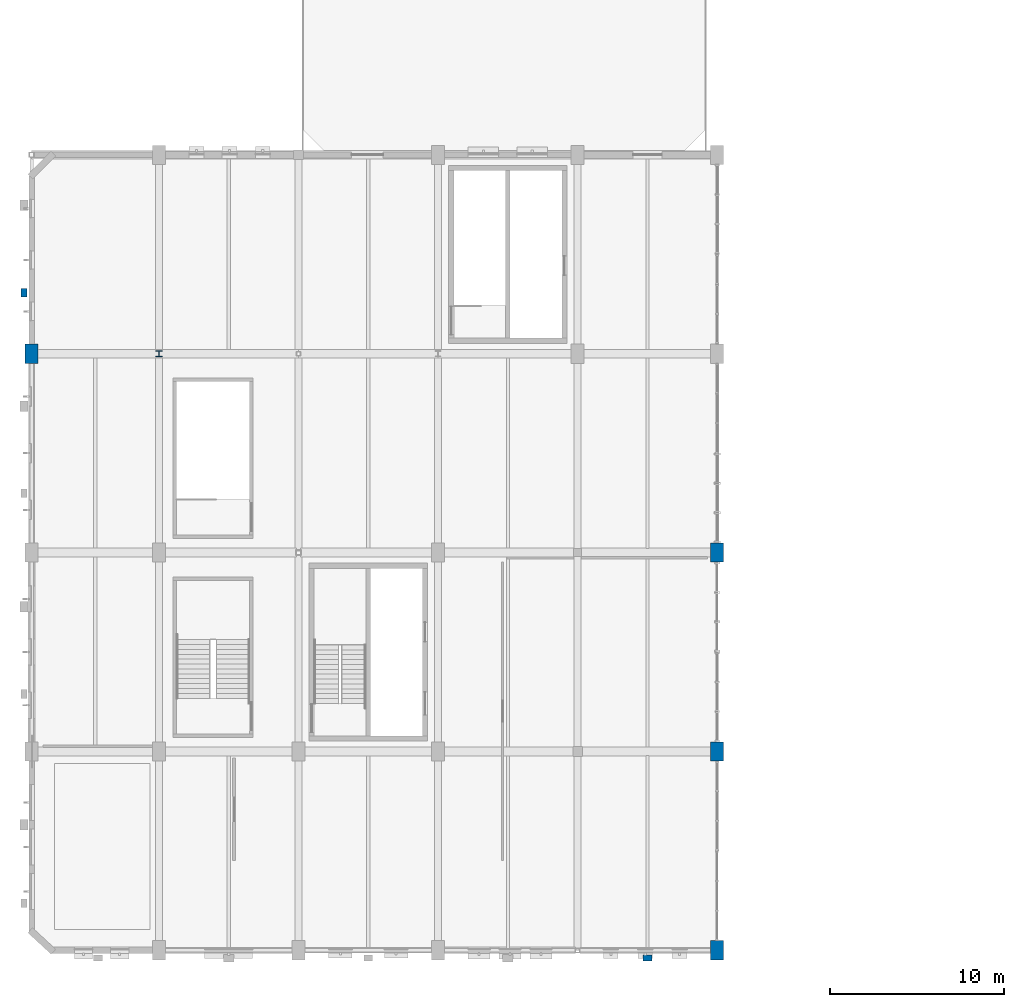
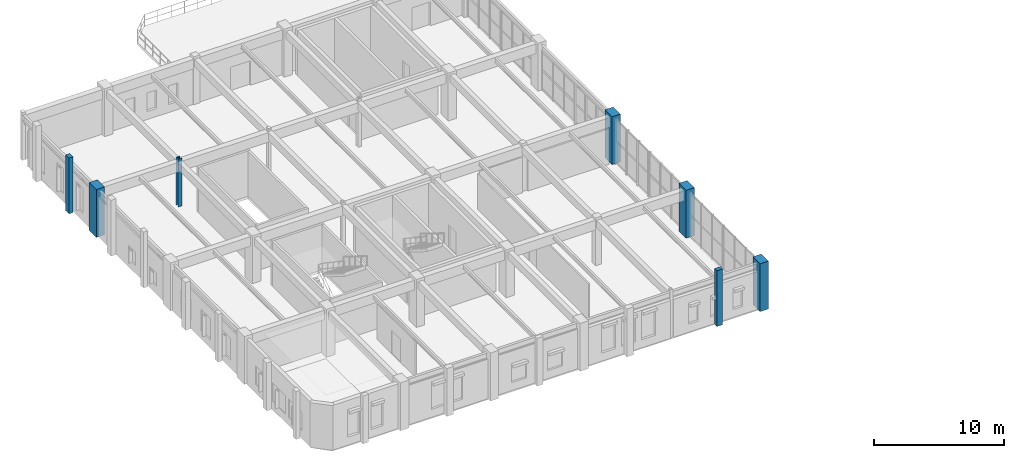
# One storey, part 3 of 48: 7 columns.
"""IFC4 building model written with IfcOpenShell, lengths in metres."""

from ifc_helpers import new_model, si_unit, direction, frame, origin, origin_2d, place, context, subcontext, project, spatial, rectangle, i_section, extrude, material, material_profile, profile_set, type_object, element, save


model = new_model("IFC4")

# Units and contexts
model_context = context("Model", 3, precision=1e-05, world=origin(), true_north=direction((0.0, 1.0)))
body_context = subcontext(model_context, "Body", "Model", "MODEL_VIEW")
ifc_project = project(units=[si_unit("LENGTHUNIT", "METRE"), si_unit("AREAUNIT", "SQUARE_METRE"), si_unit("VOLUMEUNIT", "CUBIC_METRE"), si_unit("PLANEANGLEUNIT", "RADIAN"), si_unit("MASSUNIT", "GRAM", prefix="KILO"), si_unit("POWERUNIT", "WATT"), si_unit("THERMODYNAMICTEMPERATUREUNIT", "KELVIN")], contexts=[model_context])

# Site, building, storey
site_placement = place(None, origin())
site = spatial("IfcSite", under=ifc_project, at=site_placement, CompositionType="ELEMENT")
building_placement = place(site_placement, origin())
building = spatial("IfcBuilding", under=site, at=building_placement, Name="Kelmbourne Parkland Aquatics Centre", CompositionType="ELEMENT")
storey_placement = place(building_placement, frame((0.0, 0.0, 14.699951171875)))
storey = spatial("IfcBuildingStorey", under=building, at=storey_placement, Name="L03", CompositionType="ELEMENT", Elevation=14.699951171875)

# Columns
ifc_material_1 = material(Name="Concrete C40/50", Category="concrete")
ifc_material_profile_1 = material_profile(ifc_material_1, rectangle(XDim=0.75, YDim=1.10009765625, at=origin_2d()), Name="RC 750x1100")
ifc_profile_set_1 = profile_set([ifc_material_profile_1], Name="Concrete C40/50")
column_type_1 = type_object("IfcColumnType", Name="COL-C03", PredefinedType="COLUMN", material=ifc_profile_set_1)
for number, where, z_axis, x_axis, name in (
    (1, (0.699951171875, 35.0, 0.0), (0.0, 0.0, 1.0), (1.0, 0.0, 0.0), "Structural column A-05 (L03)"),
    (2, (40.0, 0.800048828125, 0.0), (0.0, 0.0, 1.0), (1.0, 0.0, 0.0), "Structural column F-01 (L03)"),
    (3, (40.0, 12.199951171875, 0.0), (0.0, 0.0, 1.0), (1.0, 0.0, 0.0), "Structural column F-03 (L03)"),
    (4, (40.0, 23.60009765625, 0.0), (0.0, 0.0, 1.0), (1.0, 0.0, 0.0), "Structural column F-04 (L03)"),
):
    element("IfcColumn", number, at=place(storey_placement, frame(where, z_axis=z_axis, x_axis=x_axis)), inside=storey, type_object=column_type_1, Name=name, PredefinedType="COLUMN", context=body_context, shape_type="SweptSolid", body=[
        extrude(rectangle(XDim=0.75, YDim=1.10009765625, at=origin_2d()), origin(), (0.0, 0.0, 1.0), 4.5),
    ])
ifc_material_2 = material(Name="Welded plate steel AS/NZS 3678 Grade 350", Category="steel")
ifc_material_profile_2 = material_profile(ifc_material_2, i_section(OverallWidth=0.35009765625, OverallDepth=0.35205078125, WebThickness=0.02001953125, FlangeThickness=0.031982421875, at=origin_2d()), Name="350WC230")
ifc_profile_set_2 = profile_set([ifc_material_profile_2], Name="Welded plate steel AS/NZS 3678 Grade 350")
column_type_2 = type_object("IfcColumnType", Name="COL-C13", PredefinedType="COLUMN", material=ifc_profile_set_2)
column_placement = place(storey_placement, frame((8.0, 35.0, 0.0), z_axis=(0.0, 0.0, 1.0), x_axis=(1.0, 0.0, 0.0)))
element("IfcColumn", 5, at=column_placement, inside=storey, type_object=column_type_2, Name="Structural column B-05 (L03)", PredefinedType="COLUMN", context=body_context, shape_type="SweptSolid", body=[
    extrude(i_section(OverallWidth=0.35009765625, OverallDepth=0.35205078125, WebThickness=0.02001953125, FlangeThickness=0.031982421875, at=origin_2d()), origin(), (0.0, 0.0, 1.0), 4.5),
])
ifc_material_3 = material(Name="Clay brick masonry AS 3700 M12", Category="masonry")
ifc_material_profile_3 = material_profile(ifc_material_3, rectangle(XDim=0.35009765625, YDim=0.5, at=origin_2d()), Name="PIL 350x500")
ifc_profile_set_3 = profile_set([ifc_material_profile_3], Name="Clay brick masonry AS 3700 M12")
column_type_3 = type_object("IfcColumnType", Name="PIL-PL1", PredefinedType="PILASTER", material=ifc_profile_set_3)
for number, where, z_axis, x_axis, name in (
    (6, (0.260009765625, 38.5, 0.0), (0.0, 0.0, 1.0), (1.0, 0.0, 0.0), "Amsterdam School engaged brick buttress W-007 (L03)"),
    (7, (36.0, 0.35009765625, 0.0), (0.0, 0.0, 1.0), (0.0, 1.0, 0.0), "Amsterdam School engaged brick buttress S-023 (L03)"),
):
    element("IfcColumn", number, at=place(storey_placement, frame(where, z_axis=z_axis, x_axis=x_axis)), inside=storey, type_object=column_type_3, Name=name, PredefinedType="PILASTER", context=body_context, shape_type="SweptSolid", body=[
        extrude(rectangle(XDim=0.35009765625, YDim=0.5, at=origin_2d()), origin(), (0.0, 0.0, 1.0), 5.25),
    ])

save(model, "model.ifc")
